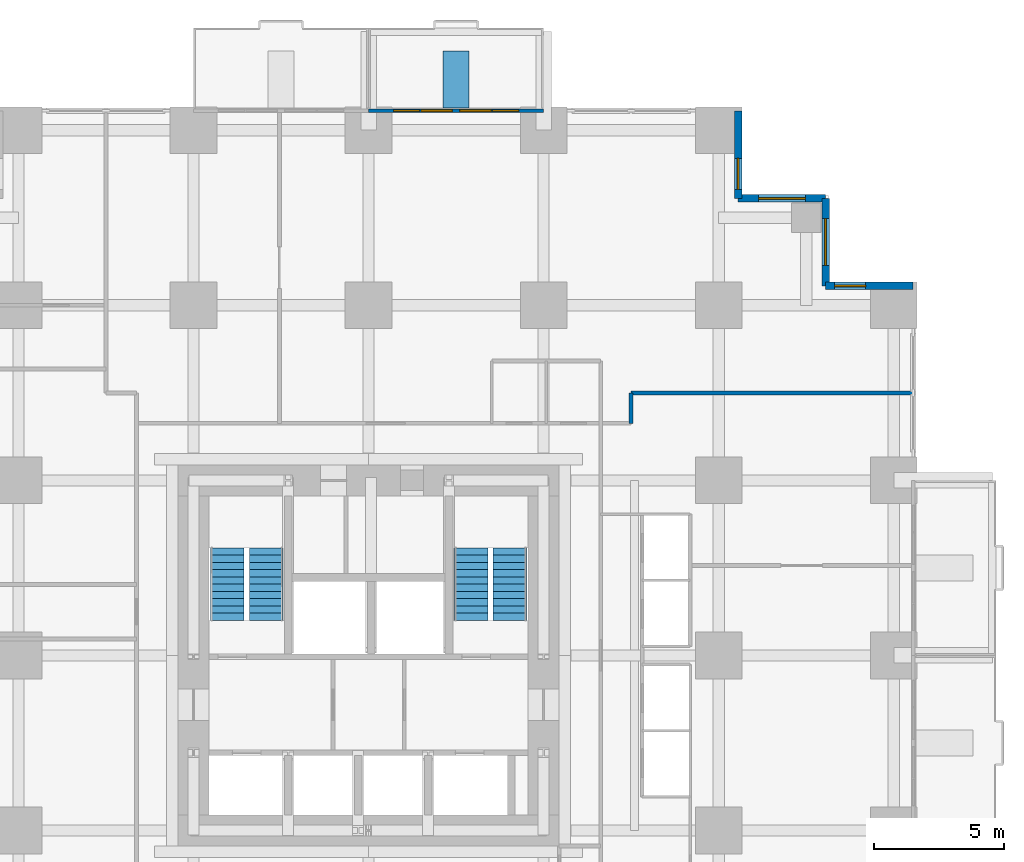
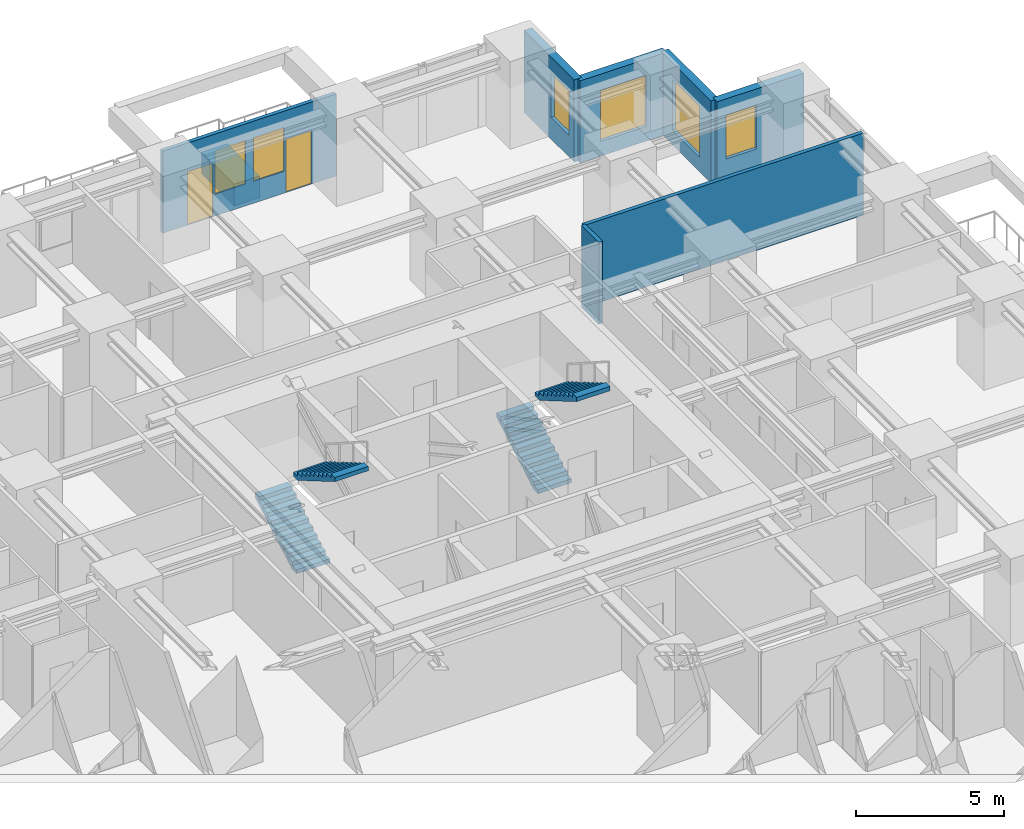
# One storey, part 11 of 13: 8 walls, 6 windows, 4 stair flights, 2 doors, 8 openings, 2 elements without a shape of their own.
"""IFC4 building model written with IfcOpenShell, lengths in metres."""

from ifc_helpers import new_model, si_unit, direction, frame, frame_2d, origin, place, context, subcontext, project, spatial, polyline, rectangle, outline, extrude, material, layer, layer_set, type_object, element, fill, aggregate, save


model = new_model("IFC4")

# Units and contexts
model_context = context("Model", 3, precision=1e-05, world=origin(), true_north=direction((0.0, 1.0)))
body_context = subcontext(model_context, "Body", "Model", "MODEL_VIEW")
ifc_project = project(units=[si_unit("LENGTHUNIT", "METRE"), si_unit("AREAUNIT", "SQUARE_METRE"), si_unit("VOLUMEUNIT", "CUBIC_METRE"), si_unit("PLANEANGLEUNIT", "RADIAN"), si_unit("MASSUNIT", "GRAM", prefix="KILO")], contexts=[model_context])

# Site, building, storey
site_placement = place(None, origin())
site = spatial("IfcSite", under=ifc_project, at=site_placement, CompositionType="ELEMENT")
building_placement = place(site_placement, origin())
building = spatial("IfcBuilding", under=site, at=building_placement, Name="Nyansa Garden Tower", CompositionType="ELEMENT")
storey_placement = place(building_placement, frame((0.0, 0.0, 46.800048828125)))
storey = spatial("IfcBuildingStorey", under=building, at=storey_placement, Name="L12", CompositionType="ELEMENT", Elevation=46.800048828125)

# Wall, openings, doors, windows
ifc_material_1 = material(Name="Black aluminium framed glazed screen", Category="aluminium")
ifc_layer_1 = layer(ifc_material_1, 0.14990234375)
ifc_layer_set_1 = layer_set([ifc_layer_1], Name="Balcony screen wall BW150")
wall_type_1 = type_object("IfcWallType", Name="Balcony screen wall BW150", PredefinedType="SOLIDWALL", material=ifc_layer_set_1)
wall_1_placement = place(storey_placement, frame((20.25, 41.25, 0.0), z_axis=(0.0, 0.0, 1.0), x_axis=(1.0, 0.0, 0.0)))
wall_1 = element("IfcWall", 1, at=wall_1_placement, inside=storey, type_object=wall_type_1, Name="Glazed screen wall L12 N", PredefinedType="SOLIDWALL", context=body_context, shape_type="SweptSolid", body=[
    extrude(rectangle(XDim=6.75, YDim=0.14990234375, at=frame_2d((3.375, 0.0))), origin(), (0.0, 0.0, 1.0), 3.375),
])
opening_1_placement = place(wall_1_placement, frame((0.96240234375, 0.0, 0.0)))
opening_1 = element("IfcOpeningElement", 2, at=opening_1_placement, cuts=wall_1, Name="Opening D20", PredefinedType="OPENING", context=body_context, shape_type="SweptSolid", body=[
    extrude(rectangle(XDim=1.0, YDim=2.199951171875, at=frame_2d((0.5, 1.10009765625))), frame((0.0, 0.0849609375, 0.0), z_axis=(0.0, -1.0, 0.0), x_axis=(1.0, 0.0, 0.0)), (0.0, 0.0, 1.0), 0.169921875),
])
opening_2_placement = place(wall_1_placement, frame((2.02490234375, 0.0, 0.89990234375)))
opening_2 = element("IfcOpeningElement", 3, at=opening_2_placement, cuts=wall_1, Name="Opening W6", PredefinedType="OPENING", context=body_context, shape_type="SweptSolid", body=[
    extrude(rectangle(XDim=1.199951171875, YDim=1.800048828125, at=frame_2d((0.60009765625, 0.89990234375))), frame((0.0, 0.0849609375, 0.0), z_axis=(0.0, -1.0, 0.0), x_axis=(1.0, 0.0, 0.0)), (0.0, 0.0, 1.0), 0.169921875),
])
opening_3_placement = place(wall_1_placement, frame((4.78759765625, 0.0, 0.0)))
opening_3 = element("IfcOpeningElement", 4, at=opening_3_placement, cuts=wall_1, Name="Opening D20", PredefinedType="OPENING", context=body_context, shape_type="SweptSolid", body=[
    extrude(rectangle(XDim=1.0, YDim=2.199951171875, at=frame_2d((0.5, 1.10009765625))), frame((0.0, 0.0849609375, 0.0), z_axis=(0.0, -1.0, 0.0), x_axis=(1.0, 0.0, 0.0)), (0.0, 0.0, 1.0), 0.169921875),
])
opening_4_placement = place(wall_1_placement, frame((3.52490234375, 0.0, 0.89990234375)))
opening_4 = element("IfcOpeningElement", 5, at=opening_4_placement, cuts=wall_1, Name="Opening W6", PredefinedType="OPENING", context=body_context, shape_type="SweptSolid", body=[
    extrude(rectangle(XDim=1.199951171875, YDim=1.800048828125, at=frame_2d((0.60009765625, 0.89990234375))), frame((0.0, 0.0849609375, 0.0), z_axis=(0.0, -1.0, 0.0), x_axis=(1.0, 0.0, 0.0)), (0.0, 0.0, 1.0), 0.169921875),
])
ifc_material_2 = material(Name="Black aluminium framed glazed door", Category="aluminium")
door_type = type_object("IfcDoorType", Name="Balcony door D20 1000x2200", OperationType="NOTDEFINED", PredefinedType="DOOR", material=ifc_material_2)
door_1_placement = place(opening_1_placement, origin())
door_1 = element("IfcDoor", 6, at=door_1_placement, inside=storey, type_object=door_type, Name="Balcony door L12", OperationType="SINGLE_SWING_LEFT", OverallHeight=2.199951171875, OverallWidth=1.0, PredefinedType="DOOR", context=body_context, shape_type="SweptSolid", body=[
    extrude(rectangle(XDim=1.0, YDim=2.199951171875, at=frame_2d((0.5, 1.10009765625))), frame((0.0, 0.02490234375, 0.0), z_axis=(0.0, -1.0, 0.0), x_axis=(1.0, 0.0, 0.0)), (0.0, 0.0, 1.0), 0.050048828125),
])
fill(opening_1, door_1)
door_2_placement = place(opening_3_placement, origin())
door_2 = element("IfcDoor", 7, at=door_2_placement, inside=storey, type_object=door_type, Name="Balcony door L12", OperationType="SINGLE_SWING_RIGHT", OverallHeight=2.199951171875, OverallWidth=1.0, PredefinedType="DOOR", context=body_context, shape_type="SweptSolid", body=[
    extrude(rectangle(XDim=1.0, YDim=2.199951171875, at=frame_2d((0.5, 1.10009765625))), frame((0.0, 0.02490234375, 0.0), z_axis=(0.0, -1.0, 0.0), x_axis=(1.0, 0.0, 0.0)), (0.0, 0.0, 1.0), 0.050048828125),
])
fill(opening_3, door_2)
ifc_material_3 = material(Name="Black aluminium frame, dark tinted double glazing", Category="aluminium")
window_type_1 = type_object("IfcWindowType", Name="Balcony window W6 1200x1800", PartitioningType="SINGLE_PANEL", PredefinedType="WINDOW", material=ifc_material_3)
window_1_placement = place(opening_2_placement, origin())
window_1 = element("IfcWindow", 8, at=window_1_placement, inside=storey, type_object=window_type_1, Name="Window L12", OverallHeight=1.800048828125, OverallWidth=1.199951171875, PartitioningType="SINGLE_PANEL", PredefinedType="WINDOW", context=body_context, shape_type="SweptSolid", body=[
    extrude(rectangle(XDim=1.199951171875, YDim=1.800048828125, at=frame_2d((0.60009765625, 0.89990234375))), frame((0.0, 0.030029296875, 0.0), z_axis=(0.0, -1.0, 0.0), x_axis=(1.0, 0.0, 0.0)), (0.0, 0.0, 1.0), 0.06005859375),
])
fill(opening_2, window_1)
window_2_placement = place(opening_4_placement, origin())
window_2 = element("IfcWindow", 9, at=window_2_placement, inside=storey, type_object=window_type_1, Name="Window L12", OverallHeight=1.800048828125, OverallWidth=1.199951171875, PartitioningType="SINGLE_PANEL", PredefinedType="WINDOW", context=body_context, shape_type="SweptSolid", body=[
    extrude(rectangle(XDim=1.199951171875, YDim=1.800048828125, at=frame_2d((0.60009765625, 0.89990234375))), frame((0.0, 0.030029296875, 0.0), z_axis=(0.0, -1.0, 0.0), x_axis=(1.0, 0.0, 0.0)), (0.0, 0.0, 1.0), 0.06005859375),
])
fill(opening_4, window_2)

# Walls
ifc_material_4 = material(Name="Blockwork, plastered both sides", Category="masonry")
ifc_layer_2 = layer(ifc_material_4, 0.14990234375)
ifc_layer_set_2 = layer_set([ifc_layer_2], Name="Partition PW150")
wall_type_2 = type_object("IfcWallType", Name="Partition PW150", PredefinedType="PARTITIONING", material=ifc_layer_set_2)
wall_2_placement = place(storey_placement, frame((30.375, 29.199951171875, 0.0), z_axis=(0.0, 0.0, 1.0), x_axis=(0.0, 1.0, 0.0)))
element("IfcWall", 10, at=wall_2_placement, inside=storey, type_object=wall_type_2, Name="Partition", PredefinedType="PARTITIONING", context=body_context, shape_type="SweptSolid", body=[
    extrude(rectangle(XDim=1.175048828125, YDim=0.14990234375, at=frame_2d((0.58740234375, 0.0))), origin(), (0.0, 0.0, 1.0), 3.375),
])
wall_3_placement = place(storey_placement, frame((30.375, 30.375, 0.0), z_axis=(0.0, 0.0, 1.0), x_axis=(1.0, 0.0, 0.0)))
element("IfcWall", 11, at=wall_3_placement, inside=storey, type_object=wall_type_2, Name="Partition", PredefinedType="PARTITIONING", context=body_context, shape_type="SweptSolid", body=[
    extrude(rectangle(XDim=10.85888671875, YDim=0.14990234375, at=frame_2d((5.429443359375, 0.0))), origin(), (0.0, 0.0, 1.0), 3.375),
])

# Wall, opening, window
ifc_material_5 = material(Name="Turquoise glazed tile on concrete blockwork", Category="masonry")
ifc_layer_3 = layer(ifc_material_5, 0.300048828125)
ifc_layer_set_3 = layer_set([ifc_layer_3], Name="Tiled corner wall TW300")
wall_type_3 = type_object("IfcWallType", Name="Tiled corner wall TW300", PredefinedType="SOLIDWALL", material=ifc_layer_set_3)
wall_4_placement = place(storey_placement, frame((41.25, 34.5, 0.0), z_axis=(0.0, 0.0, 1.0), x_axis=(-1.0, 0.0, 0.0)))
wall_4 = element("IfcWall", 12, at=wall_4_placement, inside=storey, type_object=wall_type_3, Name="Tiled corner wall L12", PredefinedType="SOLIDWALL", context=body_context, shape_type="SweptSolid", body=[
    extrude(rectangle(XDim=3.375, YDim=0.300048828125, at=frame_2d((1.6875, 0.0))), origin(), (0.0, 0.0, 1.0), 3.375),
])
opening_5_placement = place(wall_4_placement, frame((1.83251953125, 0.0, 0.89990234375)))
opening_5 = element("IfcOpeningElement", 13, at=opening_5_placement, cuts=wall_4, Name="Opening W4", PredefinedType="OPENING", context=body_context, shape_type="SweptSolid", body=[
    extrude(rectangle(XDim=1.199951171875, YDim=1.800048828125, at=frame_2d((0.60009765625, 0.89990234375))), frame((0.0, 0.159912109375, 0.0), z_axis=(0.0, -1.0, 0.0), x_axis=(1.0, 0.0, 0.0)), (0.0, 0.0, 1.0), 0.320068359375),
])
ifc_material_6 = material(Name="Black aluminium frame, dark tinted double glazing", Category="aluminium")
window_type_2 = type_object("IfcWindowType", Name="Window W4 1200x1800", PartitioningType="SINGLE_PANEL", PredefinedType="WINDOW", material=ifc_material_6)
window_3_placement = place(opening_5_placement, origin())
window_3 = element("IfcWindow", 14, at=window_3_placement, inside=storey, type_object=window_type_2, Name="Corner window L12", OverallHeight=1.800048828125, OverallWidth=1.199951171875, PartitioningType="SINGLE_PANEL", PredefinedType="WINDOW", context=body_context, shape_type="SweptSolid", body=[
    extrude(rectangle(XDim=1.199951171875, YDim=1.800048828125, at=frame_2d((0.60009765625, 0.89990234375))), frame((0.0, 0.030029296875, 0.0), z_axis=(0.0, -1.0, 0.0), x_axis=(1.0, 0.0, 0.0)), (0.0, 0.0, 1.0), 0.06005859375),
])
fill(opening_5, window_3)

wall_5_placement = place(storey_placement, frame((37.875, 34.5, 0.0), z_axis=(0.0, 0.0, 1.0), x_axis=(0.0, 1.0, 0.0)))
wall_5 = element("IfcWall", 15, at=wall_5_placement, inside=storey, type_object=wall_type_3, Name="Tiled corner wall L12", PredefinedType="SOLIDWALL", context=body_context, shape_type="SweptSolid", body=[
    extrude(rectangle(XDim=3.375, YDim=0.300048828125, at=frame_2d((1.6875, 0.0))), origin(), (0.0, 0.0, 1.0), 3.375),
])
opening_6_placement = place(wall_5_placement, frame((0.78759765625, 0.0, 0.60009765625)))
opening_6 = element("IfcOpeningElement", 16, at=opening_6_placement, cuts=wall_5, Name="Opening W2", PredefinedType="OPENING", context=body_context, shape_type="SweptSolid", body=[
    extrude(rectangle(XDim=1.800048828125, YDim=2.10009765625, at=frame_2d((0.89990234375, 1.050048828125))), frame((0.0, 0.159912109375, 0.0), z_axis=(0.0, -1.0, 0.0), x_axis=(1.0, 0.0, 0.0)), (0.0, 0.0, 1.0), 0.320068359375),
])
ifc_material_7 = material(Name="Black aluminium frame, dark tinted double glazing", Category="aluminium")
window_type_3 = type_object("IfcWindowType", Name="Window W2 1800x2100", PartitioningType="SINGLE_PANEL", PredefinedType="WINDOW", material=ifc_material_7)
window_4_placement = place(opening_6_placement, origin())
window_4 = element("IfcWindow", 17, at=window_4_placement, inside=storey, type_object=window_type_3, Name="Corner window L12", OverallHeight=2.10009765625, OverallWidth=1.800048828125, PartitioningType="SINGLE_PANEL", PredefinedType="WINDOW", context=body_context, shape_type="SweptSolid", body=[
    extrude(rectangle(XDim=1.800048828125, YDim=2.10009765625, at=frame_2d((0.89990234375, 1.050048828125))), frame((0.0, 0.030029296875, 0.0), z_axis=(0.0, -1.0, 0.0), x_axis=(1.0, 0.0, 0.0)), (0.0, 0.0, 1.0), 0.06005859375),
])
fill(opening_6, window_4)

wall_6_placement = place(storey_placement, frame((37.875, 37.875, 0.0), z_axis=(0.0, 0.0, 1.0), x_axis=(-1.0, 0.0, 0.0)))
wall_6 = element("IfcWall", 18, at=wall_6_placement, inside=storey, type_object=wall_type_3, Name="Tiled corner wall L12", PredefinedType="SOLIDWALL", context=body_context, shape_type="SweptSolid", body=[
    extrude(rectangle(XDim=3.375, YDim=0.300048828125, at=frame_2d((1.6875, 0.0))), origin(), (0.0, 0.0, 1.0), 3.375),
])
opening_7_placement = place(wall_6_placement, frame((0.78759765625, 0.0, 0.60009765625)))
opening_7 = element("IfcOpeningElement", 19, at=opening_7_placement, cuts=wall_6, Name="Opening W2", PredefinedType="OPENING", context=body_context, shape_type="SweptSolid", body=[
    extrude(rectangle(XDim=1.800048828125, YDim=2.10009765625, at=frame_2d((0.89990234375, 1.050048828125))), frame((0.0, 0.159912109375, 0.0), z_axis=(0.0, -1.0, 0.0), x_axis=(1.0, 0.0, 0.0)), (0.0, 0.0, 1.0), 0.320068359375),
])
window_5_placement = place(opening_7_placement, origin())
window_5 = element("IfcWindow", 20, at=window_5_placement, inside=storey, type_object=window_type_3, Name="Corner window L12", OverallHeight=2.10009765625, OverallWidth=1.800048828125, PartitioningType="SINGLE_PANEL", PredefinedType="WINDOW", context=body_context, shape_type="SweptSolid", body=[
    extrude(rectangle(XDim=1.800048828125, YDim=2.10009765625, at=frame_2d((0.89990234375, 1.050048828125))), frame((0.0, 0.030029296875, 0.0), z_axis=(0.0, -1.0, 0.0), x_axis=(1.0, 0.0, 0.0)), (0.0, 0.0, 1.0), 0.06005859375),
])
fill(opening_7, window_5)

wall_7_placement = place(storey_placement, frame((34.5, 37.875, 0.0), z_axis=(0.0, 0.0, 1.0), x_axis=(0.0, 1.0, 0.0)))
wall_7 = element("IfcWall", 21, at=wall_7_placement, inside=storey, type_object=wall_type_3, Name="Tiled corner wall L12", PredefinedType="SOLIDWALL", context=body_context, shape_type="SweptSolid", body=[
    extrude(rectangle(XDim=3.375, YDim=0.300048828125, at=frame_2d((1.6875, 0.0))), origin(), (0.0, 0.0, 1.0), 3.375),
])
opening_8_placement = place(wall_7_placement, frame((0.342529296875, 0.0, 0.89990234375)))
opening_8 = element("IfcOpeningElement", 22, at=opening_8_placement, cuts=wall_7, Name="Opening W4", PredefinedType="OPENING", context=body_context, shape_type="SweptSolid", body=[
    extrude(rectangle(XDim=1.199951171875, YDim=1.800048828125, at=frame_2d((0.60009765625, 0.89990234375))), frame((0.0, 0.159912109375, 0.0), z_axis=(0.0, -1.0, 0.0), x_axis=(1.0, 0.0, 0.0)), (0.0, 0.0, 1.0), 0.320068359375),
])
window_6_placement = place(opening_8_placement, origin())
window_6 = element("IfcWindow", 23, at=window_6_placement, inside=storey, type_object=window_type_2, Name="Corner window L12", OverallHeight=1.800048828125, OverallWidth=1.199951171875, PartitioningType="SINGLE_PANEL", PredefinedType="WINDOW", context=body_context, shape_type="SweptSolid", body=[
    extrude(rectangle(XDim=1.199951171875, YDim=1.800048828125, at=frame_2d((0.60009765625, 0.89990234375))), frame((0.0, 0.030029296875, 0.0), z_axis=(0.0, -1.0, 0.0), x_axis=(1.0, 0.0, 0.0)), (0.0, 0.0, 1.0), 0.06005859375),
])
fill(opening_8, window_6)

# Wall
ifc_material_8 = material(Name="Concrete C40/50 planter, waterproofed", Category="concrete")
ifc_layer_4 = layer(ifc_material_8, 1.0)
ifc_layer_set_4 = layer_set([ifc_layer_4], Name="Tree planter TP1")
wall_type_4 = type_object("IfcWallType", Name="Tree planter TP1", PredefinedType="USERDEFINED", material=ifc_layer_set_4)
wall_8_placement = place(storey_placement, frame((23.625, 41.35009765625, 0.0), z_axis=(0.0, 0.0, 1.0), x_axis=(0.0, 1.0, 0.0)))
element("IfcWall", 24, at=wall_8_placement, inside=storey, type_object=wall_type_4, Name="Tree planter L12", ObjectType="TREE PLANTER", PredefinedType="USERDEFINED", context=body_context, shape_type="SweptSolid", body=[
    extrude(rectangle(XDim=2.199951171875, YDim=1.0, at=frame_2d((1.10009765625, 0.0))), origin(), (0.0, 0.0, 1.0), 0.89990234375),
])

# Stair, stair flights
ifc_material_9 = material(Name="Precast concrete C40/50", Category="concrete")
stair_type_1 = type_object("IfcStairType", Name="Stair S1 164x280", PredefinedType="HALF_TURN_STAIR", material=ifc_material_9)
stair_1_placement = place(storey_placement, origin())
stair_1 = element("IfcStair", 25, at=stair_1_placement, inside=storey, type_object=stair_type_1, Name="Stair S1 L12", PredefinedType="HALF_TURN_STAIR")
ifc_material_10 = material(Name="Precast concrete C40/50", Category="concrete")
stair_flight_type_1 = type_object("IfcStairFlightType", Name="Stair flight S1 164x280x11", PredefinedType="STRAIGHT", material=ifc_material_10)
stair_flight_1_placement = place(storey_placement, frame((14.800048828125, 21.60009765625, 0.0), z_axis=(0.0, 0.0, 1.0), x_axis=(0.0, 1.0, 0.0)))
stair_flight_1 = element("IfcStairFlight", 26, at=stair_flight_1_placement, type_object=stair_flight_type_1, Name="S1 flight 1", NumberOfRisers=11, NumberOfTreads=10, PredefinedType="STRAIGHT", RiserHeight=0.163636364, TreadLength=0.28, context=body_context, shape_type="SweptSolid", body=[
    extrude(outline(polyline([(0.0, 0.0), (0.0, 0.16357421875), (0.280029296875, 0.16357421875), (0.280029296875, 0.327392578125), (0.56005859375, 0.327392578125), (0.56005859375, 0.490966796875), (0.840087890625, 0.490966796875), (0.840087890625, 0.654541015625), (1.1201171875, 0.654541015625), (1.1201171875, 0.818115234375), (1.39990234375, 0.818115234375), (1.39990234375, 0.98193359375), (1.679931640625, 0.98193359375), (1.679931640625, 1.1455078125), (1.9599609375, 1.1455078125), (1.9599609375, 1.30908203125), (2.239990234375, 1.30908203125), (2.239990234375, 1.47265625), (2.52001953125, 1.47265625), (2.52001953125, 1.636474609375), (2.800048828125, 1.636474609375), (2.800048828125, 1.800048828125), (2.800048828125, 1.462646484375), (0.297119140625, 0.0), (0.0, 0.0)])), frame((0.0, 0.64990234375, 0.0), z_axis=(0.0, -1.0, 0.0), x_axis=(1.0, 0.0, 0.0)), (0.0, 0.0, 1.0), 1.300048828125),
])
stair_flight_2_placement = place(storey_placement, frame((16.300048828125, 24.39990234375, 1.800048828125), z_axis=(0.0, 0.0, 1.0), x_axis=(0.0, -1.0, 0.0)))
stair_flight_2 = element("IfcStairFlight", 27, at=stair_flight_2_placement, type_object=stair_flight_type_1, Name="S1 flight 2", NumberOfRisers=11, NumberOfTreads=10, PredefinedType="STRAIGHT", RiserHeight=0.163636364, TreadLength=0.28, context=body_context, shape_type="SweptSolid", body=[
    extrude(outline(polyline([(0.0, 0.0), (0.0, 0.16357421875), (0.280029296875, 0.16357421875), (0.280029296875, 0.327392578125), (0.56005859375, 0.327392578125), (0.56005859375, 0.490966796875), (0.840087890625, 0.490966796875), (0.840087890625, 0.654541015625), (1.1201171875, 0.654541015625), (1.1201171875, 0.818115234375), (1.39990234375, 0.818115234375), (1.39990234375, 0.98193359375), (1.679931640625, 0.98193359375), (1.679931640625, 1.1455078125), (1.9599609375, 1.1455078125), (1.9599609375, 1.30908203125), (2.239990234375, 1.30908203125), (2.239990234375, 1.47265625), (2.52001953125, 1.47265625), (2.52001953125, 1.636474609375), (2.800048828125, 1.636474609375), (2.800048828125, 1.800048828125), (2.800048828125, 1.462646484375), (0.297119140625, 0.0), (0.0, 0.0)])), frame((0.0, 0.64990234375, 0.0), z_axis=(0.0, -1.0, 0.0), x_axis=(1.0, 0.0, 0.0)), (0.0, 0.0, 1.0), 1.300048828125),
])
aggregate(stair_1, [stair_flight_1, stair_flight_2])

ifc_material_11 = material(Name="Precast concrete C40/50", Category="concrete")
stair_type_2 = type_object("IfcStairType", Name="Stair S2 164x280", PredefinedType="HALF_TURN_STAIR", material=ifc_material_11)
stair_2_placement = place(storey_placement, origin())
stair_2 = element("IfcStair", 28, at=stair_2_placement, inside=storey, type_object=stair_type_2, Name="Stair S2 L12", PredefinedType="HALF_TURN_STAIR")
ifc_material_12 = material(Name="Precast concrete C40/50", Category="concrete")
stair_flight_type_2 = type_object("IfcStairFlightType", Name="Stair flight S2 164x280x11", PredefinedType="STRAIGHT", material=ifc_material_12)
stair_flight_3_placement = place(storey_placement, frame((24.199951171875, 21.60009765625, 0.0), z_axis=(0.0, 0.0, 1.0), x_axis=(0.0, 1.0, 0.0)))
stair_flight_3 = element("IfcStairFlight", 29, at=stair_flight_3_placement, type_object=stair_flight_type_2, Name="S2 flight 1", NumberOfRisers=11, NumberOfTreads=10, PredefinedType="STRAIGHT", RiserHeight=0.163636364, TreadLength=0.28, context=body_context, shape_type="SweptSolid", body=[
    extrude(outline(polyline([(0.0, 0.0), (0.0, 0.16357421875), (0.280029296875, 0.16357421875), (0.280029296875, 0.327392578125), (0.56005859375, 0.327392578125), (0.56005859375, 0.490966796875), (0.840087890625, 0.490966796875), (0.840087890625, 0.654541015625), (1.1201171875, 0.654541015625), (1.1201171875, 0.818115234375), (1.39990234375, 0.818115234375), (1.39990234375, 0.98193359375), (1.679931640625, 0.98193359375), (1.679931640625, 1.1455078125), (1.9599609375, 1.1455078125), (1.9599609375, 1.30908203125), (2.239990234375, 1.30908203125), (2.239990234375, 1.47265625), (2.52001953125, 1.47265625), (2.52001953125, 1.636474609375), (2.800048828125, 1.636474609375), (2.800048828125, 1.800048828125), (2.800048828125, 1.462646484375), (0.297119140625, 0.0), (0.0, 0.0)])), frame((0.0, 0.64990234375, 0.0), z_axis=(0.0, -1.0, 0.0), x_axis=(1.0, 0.0, 0.0)), (0.0, 0.0, 1.0), 1.300048828125),
])
stair_flight_4_placement = place(storey_placement, frame((25.699951171875, 24.39990234375, 1.800048828125), z_axis=(0.0, 0.0, 1.0), x_axis=(0.0, -1.0, 0.0)))
stair_flight_4 = element("IfcStairFlight", 30, at=stair_flight_4_placement, type_object=stair_flight_type_2, Name="S2 flight 2", NumberOfRisers=11, NumberOfTreads=10, PredefinedType="STRAIGHT", RiserHeight=0.163636364, TreadLength=0.28, context=body_context, shape_type="SweptSolid", body=[
    extrude(outline(polyline([(0.0, 0.0), (0.0, 0.16357421875), (0.280029296875, 0.16357421875), (0.280029296875, 0.327392578125), (0.56005859375, 0.327392578125), (0.56005859375, 0.490966796875), (0.840087890625, 0.490966796875), (0.840087890625, 0.654541015625), (1.1201171875, 0.654541015625), (1.1201171875, 0.818115234375), (1.39990234375, 0.818115234375), (1.39990234375, 0.98193359375), (1.679931640625, 0.98193359375), (1.679931640625, 1.1455078125), (1.9599609375, 1.1455078125), (1.9599609375, 1.30908203125), (2.239990234375, 1.30908203125), (2.239990234375, 1.47265625), (2.52001953125, 1.47265625), (2.52001953125, 1.636474609375), (2.800048828125, 1.636474609375), (2.800048828125, 1.800048828125), (2.800048828125, 1.462646484375), (0.297119140625, 0.0), (0.0, 0.0)])), frame((0.0, 0.64990234375, 0.0), z_axis=(0.0, -1.0, 0.0), x_axis=(1.0, 0.0, 0.0)), (0.0, 0.0, 1.0), 1.300048828125),
])
aggregate(stair_2, [stair_flight_3, stair_flight_4])

save(model, "model.ifc")
